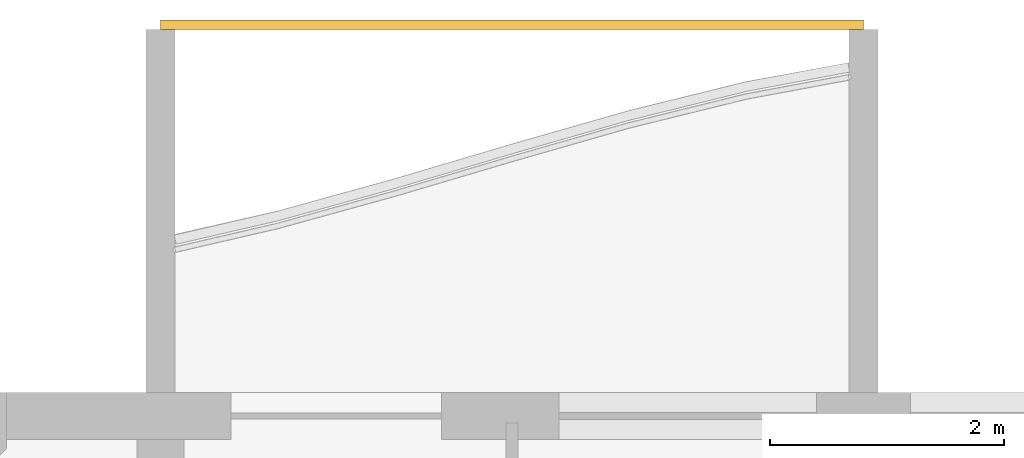
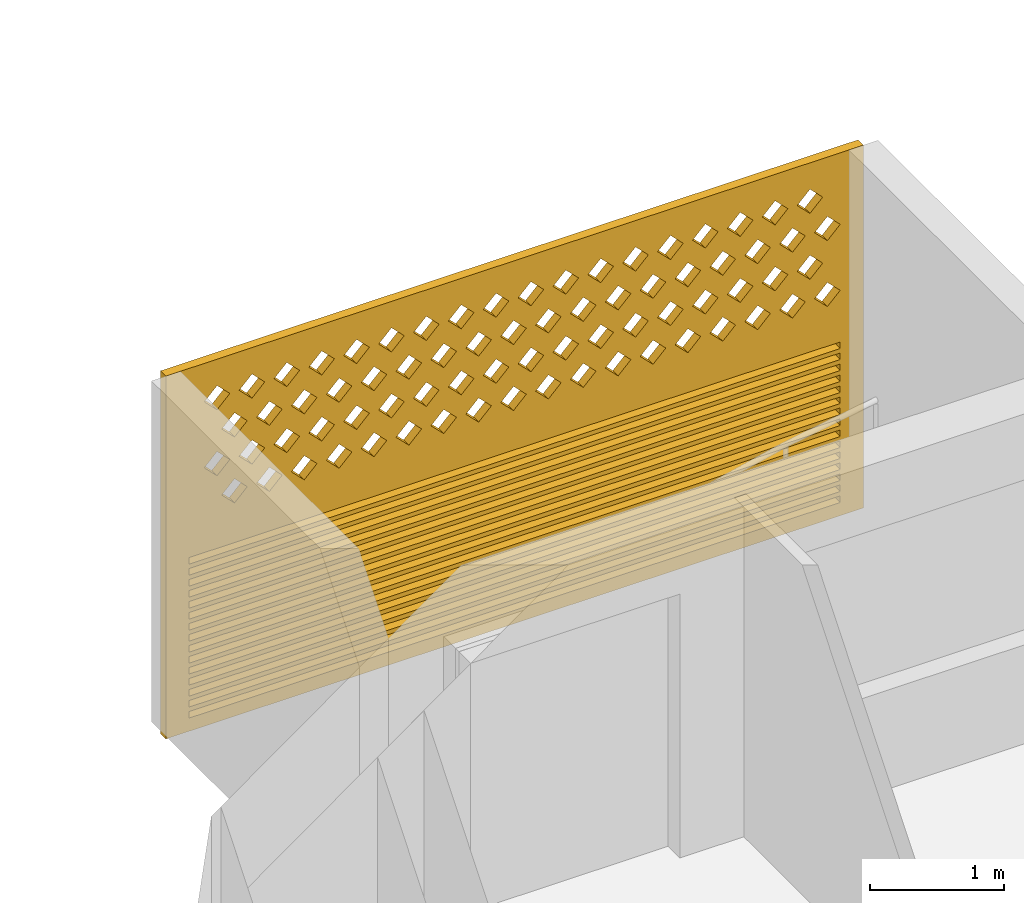
# One storey, part 21 of 38: 1 covering.
"""IFC4 building model written with IfcOpenShell, lengths in metres."""

from ifc_helpers import new_model, si_unit, direction, frame, origin, place, context, subcontext, project, spatial, polyline, outline, extrude, source, transform, mapped, material, material_profile, profile_set, type_object, element, save


model = new_model("IFC4")

# Units and contexts
model_context = context("Model", 3, precision=1e-05, world=origin(), true_north=direction((0.0, 1.0)))
body_context = subcontext(model_context, "Body", "Model", "MODEL_VIEW")
ifc_project = project(units=[si_unit("LENGTHUNIT", "METRE"), si_unit("AREAUNIT", "SQUARE_METRE"), si_unit("VOLUMEUNIT", "CUBIC_METRE"), si_unit("PLANEANGLEUNIT", "RADIAN"), si_unit("MASSUNIT", "GRAM", prefix="KILO")], contexts=[model_context])

# Site, building, storey
site_placement = place(None, origin())
site = spatial("IfcSite", under=ifc_project, at=site_placement, CompositionType="ELEMENT")
building_placement = place(site_placement, origin())
building = spatial("IfcBuilding", under=site, at=building_placement, Name="Poui Terraces", CompositionType="ELEMENT")
storey_placement = place(building_placement, frame((0.0, 0.0, 49.800048828125)))
storey = spatial("IfcBuildingStorey", under=building, at=storey_placement, Name="L13", CompositionType="ELEMENT", Elevation=49.800048828125)

# Covering
ifc_material = material(Name="Terracotta screen", Category="masonry")
ifc_material_profile = material_profile(ifc_material, outline(polyline([(-3.0, -1.64990234375), (3.0, -1.64990234375), (3.0, 1.64990234375), (-3.0, 1.64990234375), (-3.0, -1.64990234375)]), holes=[polyline([(-2.800048828125, 0.39990234375), (-2.68994140625, 0.2900390625), (-2.580078125, 0.39990234375), (-2.68994140625, 0.510009765625), (-2.800048828125, 0.39990234375)]), polyline([(-2.5, 0.39990234375), (-2.389892578125, 0.2900390625), (-2.280029296875, 0.39990234375), (-2.389892578125, 0.510009765625), (-2.5, 0.39990234375)]), polyline([(-2.199951171875, 0.39990234375), (-2.090087890625, 0.2900390625), (-1.97998046875, 0.39990234375), (-2.090087890625, 0.510009765625), (-2.199951171875, 0.39990234375)]), polyline([(-1.89990234375, 0.39990234375), (-1.7900390625, 0.2900390625), (-1.679931640625, 0.39990234375), (-1.7900390625, 0.510009765625), (-1.89990234375, 0.39990234375)]), polyline([(-1.60009765625, 0.39990234375), (-1.489990234375, 0.2900390625), (-1.3798828125, 0.39990234375), (-1.489990234375, 0.510009765625), (-1.60009765625, 0.39990234375)]), polyline([(-1.300048828125, 0.39990234375), (-1.18994140625, 0.2900390625), (-1.080078125, 0.39990234375), (-1.18994140625, 0.510009765625), (-1.300048828125, 0.39990234375)]), polyline([(-1.0, 0.39990234375), (-0.889892578125, 0.2900390625), (-0.780029296875, 0.39990234375), (-0.889892578125, 0.510009765625), (-1.0, 0.39990234375)]), polyline([(-0.699951171875, 0.39990234375), (-0.590087890625, 0.2900390625), (-0.47998046875, 0.39990234375), (-0.590087890625, 0.510009765625), (-0.699951171875, 0.39990234375)]), polyline([(-0.39990234375, 0.39990234375), (-0.2900390625, 0.2900390625), (-0.179931640625, 0.39990234375), (-0.2900390625, 0.510009765625), (-0.39990234375, 0.39990234375)]), polyline([(-0.10009765625, 0.39990234375), (0.010009765625, 0.2900390625), (0.1201171875, 0.39990234375), (0.010009765625, 0.510009765625), (-0.10009765625, 0.39990234375)]), polyline([(0.199951171875, 0.39990234375), (0.31005859375, 0.2900390625), (0.419921875, 0.39990234375), (0.31005859375, 0.510009765625), (0.199951171875, 0.39990234375)]), polyline([(0.5, 0.39990234375), (0.610107421875, 0.2900390625), (0.719970703125, 0.39990234375), (0.610107421875, 0.510009765625), (0.5, 0.39990234375)]), polyline([(0.800048828125, 0.39990234375), (0.909912109375, 0.2900390625), (1.02001953125, 0.39990234375), (0.909912109375, 0.510009765625), (0.800048828125, 0.39990234375)]), polyline([(1.10009765625, 0.39990234375), (1.2099609375, 0.2900390625), (1.320068359375, 0.39990234375), (1.2099609375, 0.510009765625), (1.10009765625, 0.39990234375)]), polyline([(1.39990234375, 0.39990234375), (1.510009765625, 0.2900390625), (1.6201171875, 0.39990234375), (1.510009765625, 0.510009765625), (1.39990234375, 0.39990234375)]), polyline([(1.699951171875, 0.39990234375), (1.81005859375, 0.2900390625), (1.919921875, 0.39990234375), (1.81005859375, 0.510009765625), (1.699951171875, 0.39990234375)]), polyline([(2.0, 0.39990234375), (2.110107421875, 0.2900390625), (2.219970703125, 0.39990234375), (2.110107421875, 0.510009765625), (2.0, 0.39990234375)]), polyline([(2.300048828125, 0.39990234375), (2.409912109375, 0.2900390625), (2.52001953125, 0.39990234375), (2.409912109375, 0.510009765625), (2.300048828125, 0.39990234375)]), polyline([(-2.64990234375, 0.699951171875), (-2.5400390625, 0.590087890625), (-2.429931640625, 0.699951171875), (-2.5400390625, 0.81005859375), (-2.64990234375, 0.699951171875)]), polyline([(-2.35009765625, 0.699951171875), (-2.239990234375, 0.590087890625), (-2.1298828125, 0.699951171875), (-2.239990234375, 0.81005859375), (-2.35009765625, 0.699951171875)]), polyline([(-2.050048828125, 0.699951171875), (-1.93994140625, 0.590087890625), (-1.830078125, 0.699951171875), (-1.93994140625, 0.81005859375), (-2.050048828125, 0.699951171875)]), polyline([(-1.75, 0.699951171875), (-1.639892578125, 0.590087890625), (-1.530029296875, 0.699951171875), (-1.639892578125, 0.81005859375), (-1.75, 0.699951171875)]), polyline([(-1.449951171875, 0.699951171875), (-1.340087890625, 0.590087890625), (-1.22998046875, 0.699951171875), (-1.340087890625, 0.81005859375), (-1.449951171875, 0.699951171875)]), polyline([(-1.14990234375, 0.699951171875), (-1.0400390625, 0.590087890625), (-0.929931640625, 0.699951171875), (-1.0400390625, 0.81005859375), (-1.14990234375, 0.699951171875)]), polyline([(-0.85009765625, 0.699951171875), (-0.739990234375, 0.590087890625), (-0.6298828125, 0.699951171875), (-0.739990234375, 0.81005859375), (-0.85009765625, 0.699951171875)]), polyline([(-0.550048828125, 0.699951171875), (-0.43994140625, 0.590087890625), (-0.330078125, 0.699951171875), (-0.43994140625, 0.81005859375), (-0.550048828125, 0.699951171875)]), polyline([(-0.25, 0.699951171875), (-0.139892578125, 0.590087890625), (-0.030029296875, 0.699951171875), (-0.139892578125, 0.81005859375), (-0.25, 0.699951171875)]), polyline([(0.050048828125, 0.699951171875), (0.159912109375, 0.590087890625), (0.27001953125, 0.699951171875), (0.159912109375, 0.81005859375), (0.050048828125, 0.699951171875)]), polyline([(0.35009765625, 0.699951171875), (0.4599609375, 0.590087890625), (0.570068359375, 0.699951171875), (0.4599609375, 0.81005859375), (0.35009765625, 0.699951171875)]), polyline([(0.64990234375, 0.699951171875), (0.760009765625, 0.590087890625), (0.8701171875, 0.699951171875), (0.760009765625, 0.81005859375), (0.64990234375, 0.699951171875)]), polyline([(0.949951171875, 0.699951171875), (1.06005859375, 0.590087890625), (1.169921875, 0.699951171875), (1.06005859375, 0.81005859375), (0.949951171875, 0.699951171875)]), polyline([(1.25, 0.699951171875), (1.360107421875, 0.590087890625), (1.469970703125, 0.699951171875), (1.360107421875, 0.81005859375), (1.25, 0.699951171875)]), polyline([(1.550048828125, 0.699951171875), (1.659912109375, 0.590087890625), (1.77001953125, 0.699951171875), (1.659912109375, 0.81005859375), (1.550048828125, 0.699951171875)]), polyline([(1.85009765625, 0.699951171875), (1.9599609375, 0.590087890625), (2.070068359375, 0.699951171875), (1.9599609375, 0.81005859375), (1.85009765625, 0.699951171875)]), polyline([(2.14990234375, 0.699951171875), (2.260009765625, 0.590087890625), (2.3701171875, 0.699951171875), (2.260009765625, 0.81005859375), (2.14990234375, 0.699951171875)]), polyline([(2.449951171875, 0.699951171875), (2.56005859375, 0.590087890625), (2.669921875, 0.699951171875), (2.56005859375, 0.81005859375), (2.449951171875, 0.699951171875)]), polyline([(-2.800048828125, 1.0), (-2.68994140625, 0.889892578125), (-2.580078125, 1.0), (-2.68994140625, 1.110107421875), (-2.800048828125, 1.0)]), polyline([(-2.5, 1.0), (-2.389892578125, 0.889892578125), (-2.280029296875, 1.0), (-2.389892578125, 1.110107421875), (-2.5, 1.0)]), polyline([(-2.199951171875, 1.0), (-2.090087890625, 0.889892578125), (-1.97998046875, 1.0), (-2.090087890625, 1.110107421875), (-2.199951171875, 1.0)]), polyline([(-1.89990234375, 1.0), (-1.7900390625, 0.889892578125), (-1.679931640625, 1.0), (-1.7900390625, 1.110107421875), (-1.89990234375, 1.0)]), polyline([(-1.60009765625, 1.0), (-1.489990234375, 0.889892578125), (-1.3798828125, 1.0), (-1.489990234375, 1.110107421875), (-1.60009765625, 1.0)]), polyline([(-1.300048828125, 1.0), (-1.18994140625, 0.889892578125), (-1.080078125, 1.0), (-1.18994140625, 1.110107421875), (-1.300048828125, 1.0)]), polyline([(-1.0, 1.0), (-0.889892578125, 0.889892578125), (-0.780029296875, 1.0), (-0.889892578125, 1.110107421875), (-1.0, 1.0)]), polyline([(-0.699951171875, 1.0), (-0.590087890625, 0.889892578125), (-0.47998046875, 1.0), (-0.590087890625, 1.110107421875), (-0.699951171875, 1.0)]), polyline([(-0.39990234375, 1.0), (-0.2900390625, 0.889892578125), (-0.179931640625, 1.0), (-0.2900390625, 1.110107421875), (-0.39990234375, 1.0)]), polyline([(-0.10009765625, 1.0), (0.010009765625, 0.889892578125), (0.1201171875, 1.0), (0.010009765625, 1.110107421875), (-0.10009765625, 1.0)]), polyline([(0.199951171875, 1.0), (0.31005859375, 0.889892578125), (0.419921875, 1.0), (0.31005859375, 1.110107421875), (0.199951171875, 1.0)]), polyline([(0.5, 1.0), (0.610107421875, 0.889892578125), (0.719970703125, 1.0), (0.610107421875, 1.110107421875), (0.5, 1.0)]), polyline([(0.800048828125, 1.0), (0.909912109375, 0.889892578125), (1.02001953125, 1.0), (0.909912109375, 1.110107421875), (0.800048828125, 1.0)]), polyline([(1.10009765625, 1.0), (1.2099609375, 0.889892578125), (1.320068359375, 1.0), (1.2099609375, 1.110107421875), (1.10009765625, 1.0)]), polyline([(1.39990234375, 1.0), (1.510009765625, 0.889892578125), (1.6201171875, 1.0), (1.510009765625, 1.110107421875), (1.39990234375, 1.0)]), polyline([(1.699951171875, 1.0), (1.81005859375, 0.889892578125), (1.919921875, 1.0), (1.81005859375, 1.110107421875), (1.699951171875, 1.0)]), polyline([(2.0, 1.0), (2.110107421875, 0.889892578125), (2.219970703125, 1.0), (2.110107421875, 1.110107421875), (2.0, 1.0)]), polyline([(2.300048828125, 1.0), (2.409912109375, 0.889892578125), (2.52001953125, 1.0), (2.409912109375, 1.110107421875), (2.300048828125, 1.0)]), polyline([(-2.64990234375, 1.300048828125), (-2.5400390625, 1.18994140625), (-2.429931640625, 1.300048828125), (-2.5400390625, 1.409912109375), (-2.64990234375, 1.300048828125)]), polyline([(-2.35009765625, 1.300048828125), (-2.239990234375, 1.18994140625), (-2.1298828125, 1.300048828125), (-2.239990234375, 1.409912109375), (-2.35009765625, 1.300048828125)]), polyline([(-2.050048828125, 1.300048828125), (-1.93994140625, 1.18994140625), (-1.830078125, 1.300048828125), (-1.93994140625, 1.409912109375), (-2.050048828125, 1.300048828125)]), polyline([(-1.75, 1.300048828125), (-1.639892578125, 1.18994140625), (-1.530029296875, 1.300048828125), (-1.639892578125, 1.409912109375), (-1.75, 1.300048828125)]), polyline([(-1.449951171875, 1.300048828125), (-1.340087890625, 1.18994140625), (-1.22998046875, 1.300048828125), (-1.340087890625, 1.409912109375), (-1.449951171875, 1.300048828125)]), polyline([(-1.14990234375, 1.300048828125), (-1.0400390625, 1.18994140625), (-0.929931640625, 1.300048828125), (-1.0400390625, 1.409912109375), (-1.14990234375, 1.300048828125)]), polyline([(-0.85009765625, 1.300048828125), (-0.739990234375, 1.18994140625), (-0.6298828125, 1.300048828125), (-0.739990234375, 1.409912109375), (-0.85009765625, 1.300048828125)]), polyline([(-0.550048828125, 1.300048828125), (-0.43994140625, 1.18994140625), (-0.330078125, 1.300048828125), (-0.43994140625, 1.409912109375), (-0.550048828125, 1.300048828125)]), polyline([(-0.25, 1.300048828125), (-0.139892578125, 1.18994140625), (-0.030029296875, 1.300048828125), (-0.139892578125, 1.409912109375), (-0.25, 1.300048828125)]), polyline([(0.050048828125, 1.300048828125), (0.159912109375, 1.18994140625), (0.27001953125, 1.300048828125), (0.159912109375, 1.409912109375), (0.050048828125, 1.300048828125)]), polyline([(0.35009765625, 1.300048828125), (0.4599609375, 1.18994140625), (0.570068359375, 1.300048828125), (0.4599609375, 1.409912109375), (0.35009765625, 1.300048828125)]), polyline([(0.64990234375, 1.300048828125), (0.760009765625, 1.18994140625), (0.8701171875, 1.300048828125), (0.760009765625, 1.409912109375), (0.64990234375, 1.300048828125)]), polyline([(0.949951171875, 1.300048828125), (1.06005859375, 1.18994140625), (1.169921875, 1.300048828125), (1.06005859375, 1.409912109375), (0.949951171875, 1.300048828125)]), polyline([(1.25, 1.300048828125), (1.360107421875, 1.18994140625), (1.469970703125, 1.300048828125), (1.360107421875, 1.409912109375), (1.25, 1.300048828125)]), polyline([(1.550048828125, 1.300048828125), (1.659912109375, 1.18994140625), (1.77001953125, 1.300048828125), (1.659912109375, 1.409912109375), (1.550048828125, 1.300048828125)]), polyline([(1.85009765625, 1.300048828125), (1.9599609375, 1.18994140625), (2.070068359375, 1.300048828125), (1.9599609375, 1.409912109375), (1.85009765625, 1.300048828125)]), polyline([(2.14990234375, 1.300048828125), (2.260009765625, 1.18994140625), (2.3701171875, 1.300048828125), (2.260009765625, 1.409912109375), (2.14990234375, 1.300048828125)]), polyline([(2.449951171875, 1.300048828125), (2.56005859375, 1.18994140625), (2.669921875, 1.300048828125), (2.56005859375, 1.409912109375), (2.449951171875, 1.300048828125)]), polyline([(-2.800048828125, -1.530029296875), (2.800048828125, -1.530029296875), (2.800048828125, -1.469970703125), (-2.800048828125, -1.469970703125), (-2.800048828125, -1.530029296875)]), polyline([(-2.800048828125, -1.429931640625), (2.800048828125, -1.429931640625), (2.800048828125, -1.3701171875), (-2.800048828125, -1.3701171875), (-2.800048828125, -1.429931640625)]), polyline([(-2.800048828125, -1.330078125), (2.800048828125, -1.330078125), (2.800048828125, -1.27001953125), (-2.800048828125, -1.27001953125), (-2.800048828125, -1.330078125)]), polyline([(-2.800048828125, -1.22998046875), (2.800048828125, -1.22998046875), (2.800048828125, -1.169921875), (-2.800048828125, -1.169921875), (-2.800048828125, -1.22998046875)]), polyline([(-2.800048828125, -1.1298828125), (2.800048828125, -1.1298828125), (2.800048828125, -1.070068359375), (-2.800048828125, -1.070068359375), (-2.800048828125, -1.1298828125)]), polyline([(-2.800048828125, -1.030029296875), (2.800048828125, -1.030029296875), (2.800048828125, -0.969970703125), (-2.800048828125, -0.969970703125), (-2.800048828125, -1.030029296875)]), polyline([(-2.800048828125, -0.929931640625), (2.800048828125, -0.929931640625), (2.800048828125, -0.8701171875), (-2.800048828125, -0.8701171875), (-2.800048828125, -0.929931640625)]), polyline([(-2.800048828125, -0.830078125), (2.800048828125, -0.830078125), (2.800048828125, -0.77001953125), (-2.800048828125, -0.77001953125), (-2.800048828125, -0.830078125)]), polyline([(-2.800048828125, -0.72998046875), (2.800048828125, -0.72998046875), (2.800048828125, -0.669921875), (-2.800048828125, -0.669921875), (-2.800048828125, -0.72998046875)]), polyline([(-2.800048828125, -0.6298828125), (2.800048828125, -0.6298828125), (2.800048828125, -0.570068359375), (-2.800048828125, -0.570068359375), (-2.800048828125, -0.6298828125)]), polyline([(-2.800048828125, -0.530029296875), (2.800048828125, -0.530029296875), (2.800048828125, -0.469970703125), (-2.800048828125, -0.469970703125), (-2.800048828125, -0.530029296875)]), polyline([(-2.800048828125, -0.429931640625), (2.800048828125, -0.429931640625), (2.800048828125, -0.3701171875), (-2.800048828125, -0.3701171875), (-2.800048828125, -0.429931640625)]), polyline([(-2.800048828125, -0.330078125), (2.800048828125, -0.330078125), (2.800048828125, -0.27001953125), (-2.800048828125, -0.27001953125), (-2.800048828125, -0.330078125)]), polyline([(-2.800048828125, -0.22998046875), (2.800048828125, -0.22998046875), (2.800048828125, -0.169921875), (-2.800048828125, -0.169921875), (-2.800048828125, -0.22998046875)]), polyline([(-2.800048828125, -0.1298828125), (2.800048828125, -0.1298828125), (2.800048828125, -0.070068359375), (-2.800048828125, -0.070068359375), (-2.800048828125, -0.1298828125)])]), Name="TERRACOTTA SCREEN AND JALOUSIE LOUVRE 6000X3300")
ifc_profile_set = profile_set([ifc_material_profile], Name="Terracotta screen")
covering_type = type_object("IfcCoveringType", Name="TERRACOTTA SCREEN AND JALOUSIE LOUVRE 6000X3300", PredefinedType="CLADDING", material=ifc_profile_set)
shared_shape = source(origin(), body_context, "Body", "SweptSolid", [
    extrude(outline(polyline([(-3.0, -1.64990234375), (3.0, -1.64990234375), (3.0, 1.64990234375), (-3.0, 1.64990234375), (-3.0, -1.64990234375)]), holes=[polyline([(-2.800048828125, 0.39990234375), (-2.68994140625, 0.2900390625), (-2.580078125, 0.39990234375), (-2.68994140625, 0.510009765625), (-2.800048828125, 0.39990234375)]), polyline([(-2.5, 0.39990234375), (-2.389892578125, 0.2900390625), (-2.280029296875, 0.39990234375), (-2.389892578125, 0.510009765625), (-2.5, 0.39990234375)]), polyline([(-2.199951171875, 0.39990234375), (-2.090087890625, 0.2900390625), (-1.97998046875, 0.39990234375), (-2.090087890625, 0.510009765625), (-2.199951171875, 0.39990234375)]), polyline([(-1.89990234375, 0.39990234375), (-1.7900390625, 0.2900390625), (-1.679931640625, 0.39990234375), (-1.7900390625, 0.510009765625), (-1.89990234375, 0.39990234375)]), polyline([(-1.60009765625, 0.39990234375), (-1.489990234375, 0.2900390625), (-1.3798828125, 0.39990234375), (-1.489990234375, 0.510009765625), (-1.60009765625, 0.39990234375)]), polyline([(-1.300048828125, 0.39990234375), (-1.18994140625, 0.2900390625), (-1.080078125, 0.39990234375), (-1.18994140625, 0.510009765625), (-1.300048828125, 0.39990234375)]), polyline([(-1.0, 0.39990234375), (-0.889892578125, 0.2900390625), (-0.780029296875, 0.39990234375), (-0.889892578125, 0.510009765625), (-1.0, 0.39990234375)]), polyline([(-0.699951171875, 0.39990234375), (-0.590087890625, 0.2900390625), (-0.47998046875, 0.39990234375), (-0.590087890625, 0.510009765625), (-0.699951171875, 0.39990234375)]), polyline([(-0.39990234375, 0.39990234375), (-0.2900390625, 0.2900390625), (-0.179931640625, 0.39990234375), (-0.2900390625, 0.510009765625), (-0.39990234375, 0.39990234375)]), polyline([(-0.10009765625, 0.39990234375), (0.010009765625, 0.2900390625), (0.1201171875, 0.39990234375), (0.010009765625, 0.510009765625), (-0.10009765625, 0.39990234375)]), polyline([(0.199951171875, 0.39990234375), (0.31005859375, 0.2900390625), (0.419921875, 0.39990234375), (0.31005859375, 0.510009765625), (0.199951171875, 0.39990234375)]), polyline([(0.5, 0.39990234375), (0.610107421875, 0.2900390625), (0.719970703125, 0.39990234375), (0.610107421875, 0.510009765625), (0.5, 0.39990234375)]), polyline([(0.800048828125, 0.39990234375), (0.909912109375, 0.2900390625), (1.02001953125, 0.39990234375), (0.909912109375, 0.510009765625), (0.800048828125, 0.39990234375)]), polyline([(1.10009765625, 0.39990234375), (1.2099609375, 0.2900390625), (1.320068359375, 0.39990234375), (1.2099609375, 0.510009765625), (1.10009765625, 0.39990234375)]), polyline([(1.39990234375, 0.39990234375), (1.510009765625, 0.2900390625), (1.6201171875, 0.39990234375), (1.510009765625, 0.510009765625), (1.39990234375, 0.39990234375)]), polyline([(1.699951171875, 0.39990234375), (1.81005859375, 0.2900390625), (1.919921875, 0.39990234375), (1.81005859375, 0.510009765625), (1.699951171875, 0.39990234375)]), polyline([(2.0, 0.39990234375), (2.110107421875, 0.2900390625), (2.219970703125, 0.39990234375), (2.110107421875, 0.510009765625), (2.0, 0.39990234375)]), polyline([(2.300048828125, 0.39990234375), (2.409912109375, 0.2900390625), (2.52001953125, 0.39990234375), (2.409912109375, 0.510009765625), (2.300048828125, 0.39990234375)]), polyline([(-2.64990234375, 0.699951171875), (-2.5400390625, 0.590087890625), (-2.429931640625, 0.699951171875), (-2.5400390625, 0.81005859375), (-2.64990234375, 0.699951171875)]), polyline([(-2.35009765625, 0.699951171875), (-2.239990234375, 0.590087890625), (-2.1298828125, 0.699951171875), (-2.239990234375, 0.81005859375), (-2.35009765625, 0.699951171875)]), polyline([(-2.050048828125, 0.699951171875), (-1.93994140625, 0.590087890625), (-1.830078125, 0.699951171875), (-1.93994140625, 0.81005859375), (-2.050048828125, 0.699951171875)]), polyline([(-1.75, 0.699951171875), (-1.639892578125, 0.590087890625), (-1.530029296875, 0.699951171875), (-1.639892578125, 0.81005859375), (-1.75, 0.699951171875)]), polyline([(-1.449951171875, 0.699951171875), (-1.340087890625, 0.590087890625), (-1.22998046875, 0.699951171875), (-1.340087890625, 0.81005859375), (-1.449951171875, 0.699951171875)]), polyline([(-1.14990234375, 0.699951171875), (-1.0400390625, 0.590087890625), (-0.929931640625, 0.699951171875), (-1.0400390625, 0.81005859375), (-1.14990234375, 0.699951171875)]), polyline([(-0.85009765625, 0.699951171875), (-0.739990234375, 0.590087890625), (-0.6298828125, 0.699951171875), (-0.739990234375, 0.81005859375), (-0.85009765625, 0.699951171875)]), polyline([(-0.550048828125, 0.699951171875), (-0.43994140625, 0.590087890625), (-0.330078125, 0.699951171875), (-0.43994140625, 0.81005859375), (-0.550048828125, 0.699951171875)]), polyline([(-0.25, 0.699951171875), (-0.139892578125, 0.590087890625), (-0.030029296875, 0.699951171875), (-0.139892578125, 0.81005859375), (-0.25, 0.699951171875)]), polyline([(0.050048828125, 0.699951171875), (0.159912109375, 0.590087890625), (0.27001953125, 0.699951171875), (0.159912109375, 0.81005859375), (0.050048828125, 0.699951171875)]), polyline([(0.35009765625, 0.699951171875), (0.4599609375, 0.590087890625), (0.570068359375, 0.699951171875), (0.4599609375, 0.81005859375), (0.35009765625, 0.699951171875)]), polyline([(0.64990234375, 0.699951171875), (0.760009765625, 0.590087890625), (0.8701171875, 0.699951171875), (0.760009765625, 0.81005859375), (0.64990234375, 0.699951171875)]), polyline([(0.949951171875, 0.699951171875), (1.06005859375, 0.590087890625), (1.169921875, 0.699951171875), (1.06005859375, 0.81005859375), (0.949951171875, 0.699951171875)]), polyline([(1.25, 0.699951171875), (1.360107421875, 0.590087890625), (1.469970703125, 0.699951171875), (1.360107421875, 0.81005859375), (1.25, 0.699951171875)]), polyline([(1.550048828125, 0.699951171875), (1.659912109375, 0.590087890625), (1.77001953125, 0.699951171875), (1.659912109375, 0.81005859375), (1.550048828125, 0.699951171875)]), polyline([(1.85009765625, 0.699951171875), (1.9599609375, 0.590087890625), (2.070068359375, 0.699951171875), (1.9599609375, 0.81005859375), (1.85009765625, 0.699951171875)]), polyline([(2.14990234375, 0.699951171875), (2.260009765625, 0.590087890625), (2.3701171875, 0.699951171875), (2.260009765625, 0.81005859375), (2.14990234375, 0.699951171875)]), polyline([(2.449951171875, 0.699951171875), (2.56005859375, 0.590087890625), (2.669921875, 0.699951171875), (2.56005859375, 0.81005859375), (2.449951171875, 0.699951171875)]), polyline([(-2.800048828125, 1.0), (-2.68994140625, 0.889892578125), (-2.580078125, 1.0), (-2.68994140625, 1.110107421875), (-2.800048828125, 1.0)]), polyline([(-2.5, 1.0), (-2.389892578125, 0.889892578125), (-2.280029296875, 1.0), (-2.389892578125, 1.110107421875), (-2.5, 1.0)]), polyline([(-2.199951171875, 1.0), (-2.090087890625, 0.889892578125), (-1.97998046875, 1.0), (-2.090087890625, 1.110107421875), (-2.199951171875, 1.0)]), polyline([(-1.89990234375, 1.0), (-1.7900390625, 0.889892578125), (-1.679931640625, 1.0), (-1.7900390625, 1.110107421875), (-1.89990234375, 1.0)]), polyline([(-1.60009765625, 1.0), (-1.489990234375, 0.889892578125), (-1.3798828125, 1.0), (-1.489990234375, 1.110107421875), (-1.60009765625, 1.0)]), polyline([(-1.300048828125, 1.0), (-1.18994140625, 0.889892578125), (-1.080078125, 1.0), (-1.18994140625, 1.110107421875), (-1.300048828125, 1.0)]), polyline([(-1.0, 1.0), (-0.889892578125, 0.889892578125), (-0.780029296875, 1.0), (-0.889892578125, 1.110107421875), (-1.0, 1.0)]), polyline([(-0.699951171875, 1.0), (-0.590087890625, 0.889892578125), (-0.47998046875, 1.0), (-0.590087890625, 1.110107421875), (-0.699951171875, 1.0)]), polyline([(-0.39990234375, 1.0), (-0.2900390625, 0.889892578125), (-0.179931640625, 1.0), (-0.2900390625, 1.110107421875), (-0.39990234375, 1.0)]), polyline([(-0.10009765625, 1.0), (0.010009765625, 0.889892578125), (0.1201171875, 1.0), (0.010009765625, 1.110107421875), (-0.10009765625, 1.0)]), polyline([(0.199951171875, 1.0), (0.31005859375, 0.889892578125), (0.419921875, 1.0), (0.31005859375, 1.110107421875), (0.199951171875, 1.0)]), polyline([(0.5, 1.0), (0.610107421875, 0.889892578125), (0.719970703125, 1.0), (0.610107421875, 1.110107421875), (0.5, 1.0)]), polyline([(0.800048828125, 1.0), (0.909912109375, 0.889892578125), (1.02001953125, 1.0), (0.909912109375, 1.110107421875), (0.800048828125, 1.0)]), polyline([(1.10009765625, 1.0), (1.2099609375, 0.889892578125), (1.320068359375, 1.0), (1.2099609375, 1.110107421875), (1.10009765625, 1.0)]), polyline([(1.39990234375, 1.0), (1.510009765625, 0.889892578125), (1.6201171875, 1.0), (1.510009765625, 1.110107421875), (1.39990234375, 1.0)]), polyline([(1.699951171875, 1.0), (1.81005859375, 0.889892578125), (1.919921875, 1.0), (1.81005859375, 1.110107421875), (1.699951171875, 1.0)]), polyline([(2.0, 1.0), (2.110107421875, 0.889892578125), (2.219970703125, 1.0), (2.110107421875, 1.110107421875), (2.0, 1.0)]), polyline([(2.300048828125, 1.0), (2.409912109375, 0.889892578125), (2.52001953125, 1.0), (2.409912109375, 1.110107421875), (2.300048828125, 1.0)]), polyline([(-2.64990234375, 1.300048828125), (-2.5400390625, 1.18994140625), (-2.429931640625, 1.300048828125), (-2.5400390625, 1.409912109375), (-2.64990234375, 1.300048828125)]), polyline([(-2.35009765625, 1.300048828125), (-2.239990234375, 1.18994140625), (-2.1298828125, 1.300048828125), (-2.239990234375, 1.409912109375), (-2.35009765625, 1.300048828125)]), polyline([(-2.050048828125, 1.300048828125), (-1.93994140625, 1.18994140625), (-1.830078125, 1.300048828125), (-1.93994140625, 1.409912109375), (-2.050048828125, 1.300048828125)]), polyline([(-1.75, 1.300048828125), (-1.639892578125, 1.18994140625), (-1.530029296875, 1.300048828125), (-1.639892578125, 1.409912109375), (-1.75, 1.300048828125)]), polyline([(-1.449951171875, 1.300048828125), (-1.340087890625, 1.18994140625), (-1.22998046875, 1.300048828125), (-1.340087890625, 1.409912109375), (-1.449951171875, 1.300048828125)]), polyline([(-1.14990234375, 1.300048828125), (-1.0400390625, 1.18994140625), (-0.929931640625, 1.300048828125), (-1.0400390625, 1.409912109375), (-1.14990234375, 1.300048828125)]), polyline([(-0.85009765625, 1.300048828125), (-0.739990234375, 1.18994140625), (-0.6298828125, 1.300048828125), (-0.739990234375, 1.409912109375), (-0.85009765625, 1.300048828125)]), polyline([(-0.550048828125, 1.300048828125), (-0.43994140625, 1.18994140625), (-0.330078125, 1.300048828125), (-0.43994140625, 1.409912109375), (-0.550048828125, 1.300048828125)]), polyline([(-0.25, 1.300048828125), (-0.139892578125, 1.18994140625), (-0.030029296875, 1.300048828125), (-0.139892578125, 1.409912109375), (-0.25, 1.300048828125)]), polyline([(0.050048828125, 1.300048828125), (0.159912109375, 1.18994140625), (0.27001953125, 1.300048828125), (0.159912109375, 1.409912109375), (0.050048828125, 1.300048828125)]), polyline([(0.35009765625, 1.300048828125), (0.4599609375, 1.18994140625), (0.570068359375, 1.300048828125), (0.4599609375, 1.409912109375), (0.35009765625, 1.300048828125)]), polyline([(0.64990234375, 1.300048828125), (0.760009765625, 1.18994140625), (0.8701171875, 1.300048828125), (0.760009765625, 1.409912109375), (0.64990234375, 1.300048828125)]), polyline([(0.949951171875, 1.300048828125), (1.06005859375, 1.18994140625), (1.169921875, 1.300048828125), (1.06005859375, 1.409912109375), (0.949951171875, 1.300048828125)]), polyline([(1.25, 1.300048828125), (1.360107421875, 1.18994140625), (1.469970703125, 1.300048828125), (1.360107421875, 1.409912109375), (1.25, 1.300048828125)]), polyline([(1.550048828125, 1.300048828125), (1.659912109375, 1.18994140625), (1.77001953125, 1.300048828125), (1.659912109375, 1.409912109375), (1.550048828125, 1.300048828125)]), polyline([(1.85009765625, 1.300048828125), (1.9599609375, 1.18994140625), (2.070068359375, 1.300048828125), (1.9599609375, 1.409912109375), (1.85009765625, 1.300048828125)]), polyline([(2.14990234375, 1.300048828125), (2.260009765625, 1.18994140625), (2.3701171875, 1.300048828125), (2.260009765625, 1.409912109375), (2.14990234375, 1.300048828125)]), polyline([(2.449951171875, 1.300048828125), (2.56005859375, 1.18994140625), (2.669921875, 1.300048828125), (2.56005859375, 1.409912109375), (2.449951171875, 1.300048828125)]), polyline([(-2.800048828125, -1.530029296875), (2.800048828125, -1.530029296875), (2.800048828125, -1.469970703125), (-2.800048828125, -1.469970703125), (-2.800048828125, -1.530029296875)]), polyline([(-2.800048828125, -1.429931640625), (2.800048828125, -1.429931640625), (2.800048828125, -1.3701171875), (-2.800048828125, -1.3701171875), (-2.800048828125, -1.429931640625)]), polyline([(-2.800048828125, -1.330078125), (2.800048828125, -1.330078125), (2.800048828125, -1.27001953125), (-2.800048828125, -1.27001953125), (-2.800048828125, -1.330078125)]), polyline([(-2.800048828125, -1.22998046875), (2.800048828125, -1.22998046875), (2.800048828125, -1.169921875), (-2.800048828125, -1.169921875), (-2.800048828125, -1.22998046875)]), polyline([(-2.800048828125, -1.1298828125), (2.800048828125, -1.1298828125), (2.800048828125, -1.070068359375), (-2.800048828125, -1.070068359375), (-2.800048828125, -1.1298828125)]), polyline([(-2.800048828125, -1.030029296875), (2.800048828125, -1.030029296875), (2.800048828125, -0.969970703125), (-2.800048828125, -0.969970703125), (-2.800048828125, -1.030029296875)]), polyline([(-2.800048828125, -0.929931640625), (2.800048828125, -0.929931640625), (2.800048828125, -0.8701171875), (-2.800048828125, -0.8701171875), (-2.800048828125, -0.929931640625)]), polyline([(-2.800048828125, -0.830078125), (2.800048828125, -0.830078125), (2.800048828125, -0.77001953125), (-2.800048828125, -0.77001953125), (-2.800048828125, -0.830078125)]), polyline([(-2.800048828125, -0.72998046875), (2.800048828125, -0.72998046875), (2.800048828125, -0.669921875), (-2.800048828125, -0.669921875), (-2.800048828125, -0.72998046875)]), polyline([(-2.800048828125, -0.6298828125), (2.800048828125, -0.6298828125), (2.800048828125, -0.570068359375), (-2.800048828125, -0.570068359375), (-2.800048828125, -0.6298828125)]), polyline([(-2.800048828125, -0.530029296875), (2.800048828125, -0.530029296875), (2.800048828125, -0.469970703125), (-2.800048828125, -0.469970703125), (-2.800048828125, -0.530029296875)]), polyline([(-2.800048828125, -0.429931640625), (2.800048828125, -0.429931640625), (2.800048828125, -0.3701171875), (-2.800048828125, -0.3701171875), (-2.800048828125, -0.429931640625)]), polyline([(-2.800048828125, -0.330078125), (2.800048828125, -0.330078125), (2.800048828125, -0.27001953125), (-2.800048828125, -0.27001953125), (-2.800048828125, -0.330078125)]), polyline([(-2.800048828125, -0.22998046875), (2.800048828125, -0.22998046875), (2.800048828125, -0.169921875), (-2.800048828125, -0.169921875), (-2.800048828125, -0.22998046875)]), polyline([(-2.800048828125, -0.1298828125), (2.800048828125, -0.1298828125), (2.800048828125, -0.070068359375), (-2.800048828125, -0.070068359375), (-2.800048828125, -0.1298828125)])]), origin(), (0.0, 0.0, 1.0), 0.079833984375),
])
covering_placement = place(storey_placement, frame((9.0, 48.10009765625, 1.449951171875), z_axis=(0.0, 1.0, 0.0), x_axis=(-1.0, 0.0, 0.0)))
element("IfcCovering", 1, at=covering_placement, inside=storey, type_object=covering_type, Name="SOLAR SCREEN AND JALOUSIE LOUVRE", PredefinedType="CLADDING", context=body_context, shape_type="MappedRepresentation", body=[
    mapped(shared_shape, transform((0.0, 0.0, 0.0))),
])

save(model, "model.ifc")
